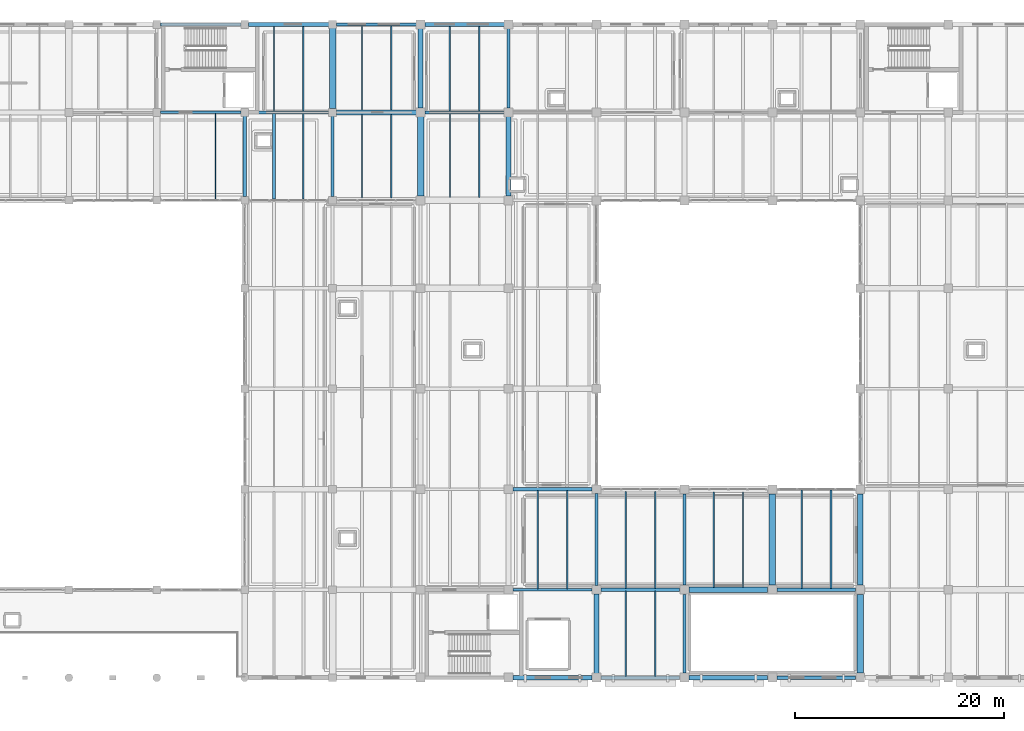
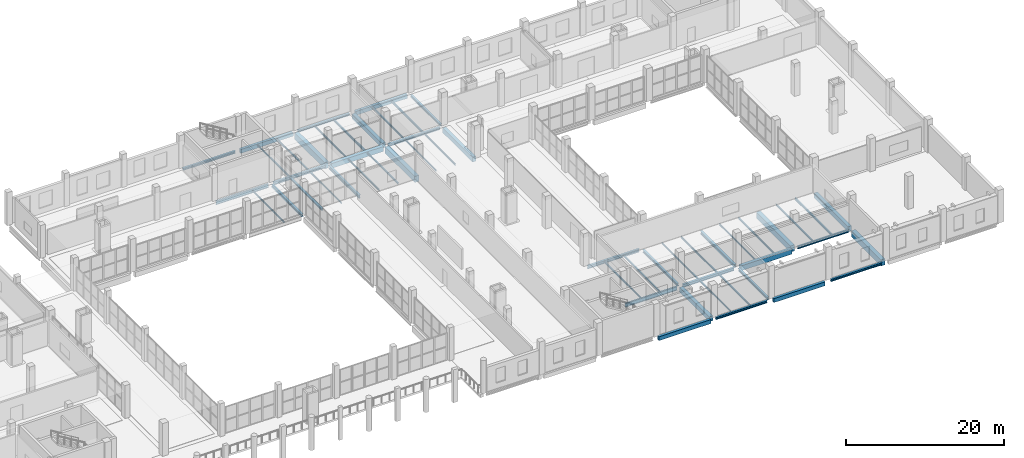
# One storey, part 27 of 66: 54 beams.
"""IFC4 building model written with IfcOpenShell, lengths in metres."""

from ifc_helpers import new_model, si_unit, direction, frame, origin, origin_2d, place, context, subcontext, project, spatial, rectangle, i_section, extrude, material, material_profile, profile_set, type_object, element, save


model = new_model("IFC4")

# Units and contexts
model_context = context("Model", 3, precision=1e-05, world=origin(), true_north=direction((0.0, 1.0)))
body_context = subcontext(model_context, "Body", "Model", "MODEL_VIEW")
ifc_project = project(units=[si_unit("LENGTHUNIT", "METRE"), si_unit("AREAUNIT", "SQUARE_METRE"), si_unit("VOLUMEUNIT", "CUBIC_METRE"), si_unit("PLANEANGLEUNIT", "RADIAN"), si_unit("MASSUNIT", "GRAM", prefix="KILO")], contexts=[model_context])

# Site, building, storey
site_placement = place(None, origin())
site = spatial("IfcSite", under=ifc_project, at=site_placement, CompositionType="ELEMENT")
building_placement = place(site_placement, origin())
building = spatial("IfcBuilding", under=site, at=building_placement, Name="Zulmaris Art Gallery", CompositionType="ELEMENT")
storey_placement = place(building_placement, frame((0.0, 0.0, 5.39990234375)))
storey = spatial("IfcBuildingStorey", under=building, at=storey_placement, Name="L01", CompositionType="ELEMENT", Elevation=5.39990234375)

# Beams
ifc_material_1 = material(Name="Steel S355J2", Category="steel")
ifc_material_profile_1 = material_profile(ifc_material_1, i_section(OverallWidth=0.219970703125, OverallDepth=0.60009765625, WebThickness=0.011962890625, FlangeThickness=0.01904296875, FilletRadius=0.02392578125, at=origin_2d()), Name="IPE 600")
ifc_profile_set_1 = profile_set([ifc_material_profile_1], Name="Steel S355J2")
beam_type_1 = type_object("IfcBeamType", Name="BEAM-BM07", PredefinedType="BEAM", material=ifc_profile_set_1)
beam_1_placement = place(storey_placement, frame((150.409912109375, 21.60009765625, -0.6298828125), z_axis=(1.0, 0.0, 0.0), x_axis=(0.0, 1.0, 0.0)))
element("IfcBeam", 1, at=beam_1_placement, inside=storey, type_object=beam_type_1, Name="L01 X-girder (150.0..158.4, y=21.6)", PredefinedType="BEAM", context=body_context, shape_type="SweptSolid", body=[
    extrude(i_section(OverallWidth=0.219970703125, OverallDepth=0.60009765625, WebThickness=0.011962890625, FlangeThickness=0.01904296875, FilletRadius=0.02392578125, at=origin_2d()), origin(), (0.0, 0.0, 1.0), 7.580078125),
])
beam_2_placement = place(storey_placement, frame((116.760009765625, 67.199951171875, -0.6298828125), z_axis=(1.0, 0.0, 0.0), x_axis=(0.0, 1.0, 0.0)))
element("IfcBeam", 2, at=beam_2_placement, inside=storey, type_object=beam_type_1, Name="L01 X-girder (116.4..124.8, y=67.2)", PredefinedType="BEAM", context=body_context, shape_type="SweptSolid", body=[
    extrude(i_section(OverallWidth=0.219970703125, OverallDepth=0.60009765625, WebThickness=0.011962890625, FlangeThickness=0.01904296875, FilletRadius=0.02392578125, at=origin_2d()), origin(), (0.0, 0.0, 1.0), 7.679931640625),
])
ifc_material_profile_2 = material_profile(ifc_material_1, i_section(OverallWidth=0.300048828125, OverallDepth=0.330078125, WebThickness=0.009521484375, FlangeThickness=0.0166015625, FilletRadius=0.027099609375, at=origin_2d()), Name="HEA 340")
ifc_profile_set_2 = profile_set([ifc_material_profile_2], Name="Steel S355J2")
beam_type_2 = type_object("IfcBeamType", Name="BEAM-BM08", PredefinedType="BEAM", material=ifc_profile_set_2)
beam_3_placement = place(storey_placement, frame((150.0, 67.610107421875, -0.494873046875), z_axis=(0.0, 1.0, 0.0), x_axis=(-1.0, 0.0, 0.0)))
element("IfcBeam", 3, at=beam_3_placement, inside=storey, type_object=beam_type_2, Name="L01 Y-girder (x=150.0, 67.2..75.6)", PredefinedType="BEAM", context=body_context, shape_type="SweptSolid", body=[
    extrude(i_section(OverallWidth=0.300048828125, OverallDepth=0.330078125, WebThickness=0.009521484375, FlangeThickness=0.0166015625, FilletRadius=0.027099609375, at=origin_2d()), origin(), (0.0, 0.0, 1.0), 7.579833984375),
])
ifc_material_profile_3 = material_profile(ifc_material_1, i_section(OverallWidth=0.300048828125, OverallDepth=0.389892578125, WebThickness=0.010986328125, FlangeThickness=0.01904296875, FilletRadius=0.027099609375, at=origin_2d()), Name="HEA 400")
ifc_profile_set_3 = profile_set([ifc_material_profile_3], Name="Steel S355J2")
beam_type_3 = type_object("IfcBeamType", Name="BEAM-BM09", PredefinedType="BEAM", material=ifc_profile_set_3)
beam_4_placement = place(storey_placement, frame((175.659912109375, 21.60009765625, -0.52490234375), z_axis=(1.0, 0.0, 0.0), x_axis=(0.0, 1.0, 0.0)))
element("IfcBeam", 4, at=beam_4_placement, inside=storey, type_object=beam_type_3, Name="L01 X-girder (175.2..183.6, y=21.6)", PredefinedType="BEAM", context=body_context, shape_type="SweptSolid", body=[
    extrude(i_section(OverallWidth=0.300048828125, OverallDepth=0.389892578125, WebThickness=0.010986328125, FlangeThickness=0.01904296875, FilletRadius=0.027099609375, at=origin_2d()), origin(), (0.0, 0.0, 1.0), 7.47998046875),
])
beam_5_placement = place(storey_placement, frame((142.010009765625, 67.199951171875, -0.52490234375), z_axis=(1.0, 0.0, 0.0), x_axis=(0.0, 1.0, 0.0)))
element("IfcBeam", 5, at=beam_5_placement, inside=storey, type_object=beam_type_3, Name="L01 X-girder (141.6..150.0, y=67.2)", PredefinedType="BEAM", context=body_context, shape_type="SweptSolid", body=[
    extrude(i_section(OverallWidth=0.300048828125, OverallDepth=0.389892578125, WebThickness=0.010986328125, FlangeThickness=0.01904296875, FilletRadius=0.027099609375, at=origin_2d()), origin(), (0.0, 0.0, 1.0), 7.580078125),
])
beam_6_placement = place(storey_placement, frame((124.800048828125, 59.159912109375, -0.52490234375), z_axis=(0.0, 1.0, 0.0), x_axis=(-1.0, 0.0, 0.0)))
element("IfcBeam", 6, at=beam_6_placement, inside=storey, type_object=beam_type_3, Name="L01 Y-girder (x=124.8, 58.8..67.2)", PredefinedType="BEAM", context=body_context, shape_type="SweptSolid", body=[
    extrude(i_section(OverallWidth=0.300048828125, OverallDepth=0.389892578125, WebThickness=0.010986328125, FlangeThickness=0.01904296875, FilletRadius=0.027099609375, at=origin_2d()), origin(), (0.0, 0.0, 1.0), 7.68017578125),
])
beam_7_placement = place(storey_placement, frame((158.39990234375, 22.010009765625, -0.52490234375), z_axis=(0.0, 1.0, 0.0), x_axis=(-1.0, 0.0, 0.0)))
element("IfcBeam", 7, at=beam_7_placement, inside=storey, type_object=beam_type_3, Name="L01 Y-girder (x=158.4, 21.6..31.2)", PredefinedType="BEAM", context=body_context, shape_type="SweptSolid", body=[
    extrude(i_section(OverallWidth=0.300048828125, OverallDepth=0.389892578125, WebThickness=0.010986328125, FlangeThickness=0.01904296875, FilletRadius=0.027099609375, at=origin_2d()), origin(), (0.0, 0.0, 1.0), 8.780029296875),
])
beam_8_placement = place(storey_placement, frame((166.800048828125, 13.659912109375, -0.52490234375), z_axis=(0.0, 1.0, 0.0), x_axis=(-1.0, 0.0, 0.0)))
element("IfcBeam", 8, at=beam_8_placement, inside=storey, type_object=beam_type_3, Name="L01 Y-girder (x=166.8, 13.2..21.6)", PredefinedType="BEAM", context=body_context, shape_type="SweptSolid", body=[
    extrude(i_section(OverallWidth=0.300048828125, OverallDepth=0.389892578125, WebThickness=0.010986328125, FlangeThickness=0.01904296875, FilletRadius=0.027099609375, at=origin_2d()), origin(), (0.0, 0.0, 1.0), 7.47998046875),
])
ifc_material_profile_4 = material_profile(ifc_material_1, i_section(OverallWidth=0.300048828125, OverallDepth=0.449951171875, WebThickness=0.013916015625, FlangeThickness=0.02587890625, FilletRadius=0.027099609375, at=origin_2d()), Name="HEB 450")
ifc_profile_set_4 = profile_set([ifc_material_profile_4], Name="Steel S355J2")
beam_type_4 = type_object("IfcBeamType", Name="BEAM-BM13", PredefinedType="BEAM", material=ifc_profile_set_4)
beam_9_placement = place(storey_placement, frame((158.81005859375, 21.60009765625, -0.554931640625), z_axis=(1.0, 0.0, 0.0), x_axis=(0.0, 1.0, 0.0)))
element("IfcBeam", 9, at=beam_9_placement, inside=storey, type_object=beam_type_4, Name="L01 X-girder (158.4..166.8, y=21.6)", PredefinedType="BEAM", context=body_context, shape_type="SweptSolid", body=[
    extrude(i_section(OverallWidth=0.300048828125, OverallDepth=0.449951171875, WebThickness=0.013916015625, FlangeThickness=0.02587890625, FilletRadius=0.027099609375, at=origin_2d()), origin(), (0.0, 0.0, 1.0), 7.530029296875),
])
beam_10_placement = place(storey_placement, frame((150.409912109375, 31.199951171875, -0.554931640625), z_axis=(1.0, 0.0, 0.0), x_axis=(0.0, 1.0, 0.0)))
element("IfcBeam", 10, at=beam_10_placement, inside=storey, type_object=beam_type_4, Name="L01 X-girder (150.0..158.4, y=31.2)", PredefinedType="BEAM", context=body_context, shape_type="SweptSolid", body=[
    extrude(i_section(OverallWidth=0.300048828125, OverallDepth=0.449951171875, WebThickness=0.013916015625, FlangeThickness=0.02587890625, FilletRadius=0.027099609375, at=origin_2d()), origin(), (0.0, 0.0, 1.0), 7.580078125),
])
beam_11_placement = place(storey_placement, frame((125.159912109375, 67.199951171875, -0.554931640625), z_axis=(1.0, 0.0, 0.0), x_axis=(0.0, 1.0, 0.0)))
element("IfcBeam", 11, at=beam_11_placement, inside=storey, type_object=beam_type_4, Name="L01 X-girder (124.8..133.2, y=67.2)", PredefinedType="BEAM", context=body_context, shape_type="SweptSolid", body=[
    extrude(i_section(OverallWidth=0.300048828125, OverallDepth=0.449951171875, WebThickness=0.013916015625, FlangeThickness=0.02587890625, FilletRadius=0.027099609375, at=origin_2d()), origin(), (0.0, 0.0, 1.0), 7.68017578125),
])
ifc_material_profile_5 = material_profile(ifc_material_1, i_section(OverallWidth=0.300048828125, OverallDepth=0.5, WebThickness=0.014404296875, FlangeThickness=0.028076171875, FilletRadius=0.027099609375, at=origin_2d()), Name="HEB 500")
ifc_profile_set_5 = profile_set([ifc_material_profile_5], Name="Steel S355J2")
beam_type_5 = type_object("IfcBeamType", Name="BEAM-BM14", PredefinedType="BEAM", material=ifc_profile_set_5)
beam_12_placement = place(storey_placement, frame((133.199951171875, 59.159912109375, -0.579833984375), z_axis=(0.0, 1.0, 0.0), x_axis=(-1.0, 0.0, 0.0)))
element("IfcBeam", 12, at=beam_12_placement, inside=storey, type_object=beam_type_5, Name="L01 Y-girder (x=133.2, 58.8..67.2)", PredefinedType="BEAM", context=body_context, shape_type="SweptSolid", body=[
    extrude(i_section(OverallWidth=0.300048828125, OverallDepth=0.5, WebThickness=0.014404296875, FlangeThickness=0.028076171875, FilletRadius=0.027099609375, at=origin_2d()), origin(), (0.0, 0.0, 1.0), 7.68017578125),
])
beam_13_placement = place(storey_placement, frame((166.800048828125, 22.06005859375, -0.579833984375), z_axis=(0.0, 1.0, 0.0), x_axis=(-1.0, 0.0, 0.0)))
element("IfcBeam", 13, at=beam_13_placement, inside=storey, type_object=beam_type_5, Name="L01 Y-girder (x=166.8, 21.6..31.2)", PredefinedType="BEAM", context=body_context, shape_type="SweptSolid", body=[
    extrude(i_section(OverallWidth=0.300048828125, OverallDepth=0.5, WebThickness=0.014404296875, FlangeThickness=0.028076171875, FilletRadius=0.027099609375, at=origin_2d()), origin(), (0.0, 0.0, 1.0), 8.679931640625),
])
ifc_material_2 = material(Name="Concrete C40/50", Category="concrete")
ifc_material_profile_6 = material_profile(ifc_material_2, rectangle(XDim=0.5, YDim=0.75, at=origin_2d()), Name="RC 500x750")
ifc_profile_set_6 = profile_set([ifc_material_profile_6], Name="Concrete C40/50")
beam_type_6 = type_object("IfcBeamType", Name="BEAM-BM20", PredefinedType="BEAM", material=ifc_profile_set_6)
beam_14_placement = place(storey_placement, frame((167.260009765625, 21.60009765625, -0.704833984375), z_axis=(1.0, 0.0, 0.0), x_axis=(0.0, 1.0, 0.0)))
element("IfcBeam", 14, at=beam_14_placement, inside=storey, type_object=beam_type_6, Name="L01 X-girder (166.8..175.2, y=21.6)", PredefinedType="BEAM", context=body_context, shape_type="SweptSolid", body=[
    extrude(rectangle(XDim=0.5, YDim=0.75, at=origin_2d()), origin(), (0.0, 0.0, 1.0), 7.47998046875),
])
beam_15_placement = place(storey_placement, frame((133.56005859375, 67.199951171875, -0.704833984375), z_axis=(1.0, 0.0, 0.0), x_axis=(0.0, 1.0, 0.0)))
element("IfcBeam", 15, at=beam_15_placement, inside=storey, type_object=beam_type_6, Name="L01 X-girder (133.2..141.6, y=67.2)", PredefinedType="BEAM", context=body_context, shape_type="SweptSolid", body=[
    extrude(rectangle(XDim=0.5, YDim=0.75, at=origin_2d()), origin(), (0.0, 0.0, 1.0), 7.6298828125),
])
beam_16_placement = place(storey_placement, frame((141.60009765625, 67.610107421875, -0.704833984375), z_axis=(0.0, 1.0, 0.0), x_axis=(-1.0, 0.0, 0.0)))
element("IfcBeam", 16, at=beam_16_placement, inside=storey, type_object=beam_type_6, Name="L01 Y-girder (x=141.6, 67.2..75.6)", PredefinedType="BEAM", context=body_context, shape_type="SweptSolid", body=[
    extrude(rectangle(XDim=0.5, YDim=0.75, at=origin_2d()), origin(), (0.0, 0.0, 1.0), 7.579833984375),
])
beam_17_placement = place(storey_placement, frame((150.0, 59.2099609375, -0.704833984375), z_axis=(0.0, 1.0, 0.0), x_axis=(-1.0, 0.0, 0.0)))
element("IfcBeam", 17, at=beam_17_placement, inside=storey, type_object=beam_type_6, Name="L01 Y-girder (x=150.0, 58.8..67.2)", PredefinedType="BEAM", context=body_context, shape_type="SweptSolid", body=[
    extrude(rectangle(XDim=0.5, YDim=0.75, at=origin_2d()), origin(), (0.0, 0.0, 1.0), 7.580078125),
])
beam_18_placement = place(storey_placement, frame((158.39990234375, 13.610107421875, -0.704833984375), z_axis=(0.0, 1.0, 0.0), x_axis=(-1.0, 0.0, 0.0)))
element("IfcBeam", 18, at=beam_18_placement, inside=storey, type_object=beam_type_6, Name="L01 Y-girder (x=158.4, 13.2..21.6)", PredefinedType="BEAM", context=body_context, shape_type="SweptSolid", body=[
    extrude(rectangle(XDim=0.5, YDim=0.75, at=origin_2d()), origin(), (0.0, 0.0, 1.0), 7.579833984375),
])
beam_19_placement = place(storey_placement, frame((183.60009765625, 22.06005859375, -0.704833984375), z_axis=(0.0, 1.0, 0.0), x_axis=(-1.0, 0.0, 0.0)))
element("IfcBeam", 19, at=beam_19_placement, inside=storey, type_object=beam_type_6, Name="L01 Y-girder (x=183.6, 21.6..31.2)", PredefinedType="BEAM", context=body_context, shape_type="SweptSolid", body=[
    extrude(rectangle(XDim=0.5, YDim=0.75, at=origin_2d()), origin(), (0.0, 0.0, 1.0), 8.679931640625),
])
ifc_material_profile_7 = material_profile(ifc_material_2, rectangle(XDim=0.60009765625, YDim=0.949951171875, at=origin_2d()), Name="RC 600x950")
ifc_profile_set_7 = profile_set([ifc_material_profile_7], Name="Concrete C40/50")
beam_type_7 = type_object("IfcBeamType", Name="BEAM-BM22", PredefinedType="BEAM", material=ifc_profile_set_7)
beam_20_placement = place(storey_placement, frame((133.199951171875, 67.56005859375, -0.804931640625), z_axis=(0.0, 1.0, 0.0), x_axis=(-1.0, 0.0, 0.0)))
element("IfcBeam", 20, at=beam_20_placement, inside=storey, type_object=beam_type_7, Name="L01 Y-girder (x=133.2, 67.2..75.6)", PredefinedType="BEAM", context=body_context, shape_type="SweptSolid", body=[
    extrude(rectangle(XDim=0.60009765625, YDim=0.949951171875, at=origin_2d()), origin(), (0.0, 0.0, 1.0), 7.679931640625),
])
beam_21_placement = place(storey_placement, frame((141.60009765625, 59.2099609375, -0.804931640625), z_axis=(0.0, 1.0, 0.0), x_axis=(-1.0, 0.0, 0.0)))
element("IfcBeam", 21, at=beam_21_placement, inside=storey, type_object=beam_type_7, Name="L01 Y-girder (x=141.6, 58.8..67.2)", PredefinedType="BEAM", context=body_context, shape_type="SweptSolid", body=[
    extrude(rectangle(XDim=0.60009765625, YDim=0.949951171875, at=origin_2d()), origin(), (0.0, 0.0, 1.0), 7.580078125),
])
beam_22_placement = place(storey_placement, frame((175.199951171875, 22.06005859375, -0.804931640625), z_axis=(0.0, 1.0, 0.0), x_axis=(-1.0, 0.0, 0.0)))
element("IfcBeam", 22, at=beam_22_placement, inside=storey, type_object=beam_type_7, Name="L01 Y-girder (x=175.2, 21.6..31.2)", PredefinedType="BEAM", context=body_context, shape_type="SweptSolid", body=[
    extrude(rectangle(XDim=0.60009765625, YDim=0.949951171875, at=origin_2d()), origin(), (0.0, 0.0, 1.0), 8.679931640625),
])
beam_23_placement = place(storey_placement, frame((183.60009765625, 13.659912109375, -0.804931640625), z_axis=(0.0, 1.0, 0.0), x_axis=(-1.0, 0.0, 0.0)))
element("IfcBeam", 23, at=beam_23_placement, inside=storey, type_object=beam_type_7, Name="L01 Y-girder (x=183.6, 13.2..21.6)", PredefinedType="BEAM", context=body_context, shape_type="SweptSolid", body=[
    extrude(rectangle(XDim=0.60009765625, YDim=0.949951171875, at=origin_2d()), origin(), (0.0, 0.0, 1.0), 7.47998046875),
])
ifc_material_profile_8 = material_profile(ifc_material_1, i_section(OverallWidth=0.1201171875, OverallDepth=0.239990234375, WebThickness=0.006103515625, FlangeThickness=0.009765625, FilletRadius=0.014892578125, at=origin_2d()), Name="IPE 240")
ifc_profile_set_8 = profile_set([ifc_material_profile_8], Name="Steel S355J2")
beam_type_8 = type_object("IfcBeamType", Name="BEAM-JS01", PredefinedType="JOIST", material=ifc_profile_set_8)
beam_24_placement = place(storey_placement, frame((122.0, 58.885009765625, -0.449951171875), z_axis=(0.0, 1.0, 0.0), x_axis=(-1.0, 0.0, 0.0)))
element("IfcBeam", 24, at=beam_24_placement, inside=storey, type_object=beam_type_8, Name="L01 secondary joist at x=122.0", PredefinedType="JOIST", context=body_context, shape_type="SweptSolid", body=[
    extrude(i_section(OverallWidth=0.1201171875, OverallDepth=0.239990234375, WebThickness=0.006103515625, FlangeThickness=0.009765625, FilletRadius=0.014892578125, at=origin_2d()), origin(), (0.0, 0.0, 1.0), 8.22998046875),
])
beam_25_placement = place(storey_placement, frame((130.39990234375, 58.925048828125, -0.449951171875), z_axis=(0.0, 1.0, 0.0), x_axis=(-1.0, 0.0, 0.0)))
element("IfcBeam", 25, at=beam_25_placement, inside=storey, type_object=beam_type_8, Name="L01 secondary joist at x=130.4", PredefinedType="JOIST", context=body_context, shape_type="SweptSolid", body=[
    extrude(i_section(OverallWidth=0.1201171875, OverallDepth=0.239990234375, WebThickness=0.006103515625, FlangeThickness=0.009765625, FilletRadius=0.014892578125, at=origin_2d()), origin(), (0.0, 0.0, 1.0), 8.14990234375),
])
beam_26_placement = place(storey_placement, frame((127.60009765625, 67.324951171875, -0.449951171875), z_axis=(0.0, 1.0, 0.0), x_axis=(-1.0, 0.0, 0.0)))
element("IfcBeam", 26, at=beam_26_placement, inside=storey, type_object=beam_type_8, Name="L01 secondary joist at x=127.6", PredefinedType="JOIST", context=body_context, shape_type="SweptSolid", body=[
    extrude(i_section(OverallWidth=0.1201171875, OverallDepth=0.239990234375, WebThickness=0.006103515625, FlangeThickness=0.009765625, FilletRadius=0.014892578125, at=origin_2d()), origin(), (0.0, 0.0, 1.0), 8.10009765625),
])
beam_27_placement = place(storey_placement, frame((136.0, 59.02490234375, -0.449951171875), z_axis=(0.0, 1.0, 0.0), x_axis=(-1.0, 0.0, 0.0)))
element("IfcBeam", 27, at=beam_27_placement, inside=storey, type_object=beam_type_8, Name="L01 secondary joist at x=136.0", PredefinedType="JOIST", context=body_context, shape_type="SweptSolid", body=[
    extrude(i_section(OverallWidth=0.1201171875, OverallDepth=0.239990234375, WebThickness=0.006103515625, FlangeThickness=0.009765625, FilletRadius=0.014892578125, at=origin_2d()), origin(), (0.0, 0.0, 1.0), 7.9501953125),
])
beam_28_placement = place(storey_placement, frame((144.39990234375, 59.074951171875, -0.449951171875), z_axis=(0.0, 1.0, 0.0), x_axis=(-1.0, 0.0, 0.0)))
element("IfcBeam", 28, at=beam_28_placement, inside=storey, type_object=beam_type_8, Name="L01 secondary joist at x=144.4", PredefinedType="JOIST", context=body_context, shape_type="SweptSolid", body=[
    extrude(i_section(OverallWidth=0.1201171875, OverallDepth=0.239990234375, WebThickness=0.006103515625, FlangeThickness=0.009765625, FilletRadius=0.014892578125, at=origin_2d()), origin(), (0.0, 0.0, 1.0), 8.0),
])
beam_29_placement = place(storey_placement, frame((152.800048828125, 21.68505859375, -0.449951171875), z_axis=(0.0, 1.0, 0.0), x_axis=(-1.0, 0.0, 0.0)))
element("IfcBeam", 29, at=beam_29_placement, inside=storey, type_object=beam_type_8, Name="L01 secondary joist at x=152.8", PredefinedType="JOIST", context=body_context, shape_type="SweptSolid", body=[
    extrude(i_section(OverallWidth=0.1201171875, OverallDepth=0.239990234375, WebThickness=0.006103515625, FlangeThickness=0.009765625, FilletRadius=0.014892578125, at=origin_2d()), origin(), (0.0, 0.0, 1.0), 9.389892578125),
])
beam_30_placement = place(storey_placement, frame((161.199951171875, 13.324951171875, -0.449951171875), z_axis=(0.0, 1.0, 0.0), x_axis=(-1.0, 0.0, 0.0)))
element("IfcBeam", 30, at=beam_30_placement, inside=storey, type_object=beam_type_8, Name="L01 secondary joist at x=161.2", PredefinedType="JOIST", context=body_context, shape_type="SweptSolid", body=[
    extrude(i_section(OverallWidth=0.1201171875, OverallDepth=0.239990234375, WebThickness=0.006103515625, FlangeThickness=0.009765625, FilletRadius=0.014892578125, at=origin_2d()), origin(), (0.0, 0.0, 1.0), 8.150146484375),
])
beam_31_placement = place(storey_placement, frame((161.199951171875, 21.72509765625, -0.449951171875), z_axis=(0.0, 1.0, 0.0), x_axis=(-1.0, 0.0, 0.0)))
element("IfcBeam", 31, at=beam_31_placement, inside=storey, type_object=beam_type_8, Name="L01 secondary joist at x=161.2", PredefinedType="JOIST", context=body_context, shape_type="SweptSolid", body=[
    extrude(i_section(OverallWidth=0.1201171875, OverallDepth=0.239990234375, WebThickness=0.006103515625, FlangeThickness=0.009765625, FilletRadius=0.014892578125, at=origin_2d()), origin(), (0.0, 0.0, 1.0), 9.25),
])
beam_32_placement = place(storey_placement, frame((169.60009765625, 21.824951171875, -0.449951171875), z_axis=(0.0, 1.0, 0.0), x_axis=(-1.0, 0.0, 0.0)))
element("IfcBeam", 32, at=beam_32_placement, inside=storey, type_object=beam_type_8, Name="L01 secondary joist at x=169.6", PredefinedType="JOIST", context=body_context, shape_type="SweptSolid", body=[
    extrude(i_section(OverallWidth=0.1201171875, OverallDepth=0.239990234375, WebThickness=0.006103515625, FlangeThickness=0.009765625, FilletRadius=0.014892578125, at=origin_2d()), origin(), (0.0, 0.0, 1.0), 9.10009765625),
])
ifc_material_profile_9 = material_profile(ifc_material_1, i_section(OverallWidth=0.135009765625, OverallDepth=0.27001953125, WebThickness=0.006591796875, FlangeThickness=0.01025390625, FilletRadius=0.014892578125, at=origin_2d()), Name="IPE 270")
ifc_profile_set_9 = profile_set([ifc_material_profile_9], Name="Steel S355J2")
beam_type_9 = type_object("IfcBeamType", Name="BEAM-JS02", PredefinedType="JOIST", material=ifc_profile_set_9)
beam_33_placement = place(storey_placement, frame((130.39990234375, 67.324951171875, -0.46484375), z_axis=(0.0, 1.0, 0.0), x_axis=(-1.0, 0.0, 0.0)))
element("IfcBeam", 33, at=beam_33_placement, inside=storey, type_object=beam_type_9, Name="L01 secondary joist at x=130.4", PredefinedType="JOIST", context=body_context, shape_type="SweptSolid", body=[
    extrude(i_section(OverallWidth=0.135009765625, OverallDepth=0.27001953125, WebThickness=0.006591796875, FlangeThickness=0.01025390625, FilletRadius=0.014892578125, at=origin_2d()), origin(), (0.0, 0.0, 1.0), 8.10009765625),
])
beam_34_placement = place(storey_placement, frame((138.800048828125, 59.02490234375, -0.46484375), z_axis=(0.0, 1.0, 0.0), x_axis=(-1.0, 0.0, 0.0)))
element("IfcBeam", 34, at=beam_34_placement, inside=storey, type_object=beam_type_9, Name="L01 secondary joist at x=138.8", PredefinedType="JOIST", context=body_context, shape_type="SweptSolid", body=[
    extrude(i_section(OverallWidth=0.135009765625, OverallDepth=0.27001953125, WebThickness=0.006591796875, FlangeThickness=0.01025390625, FilletRadius=0.014892578125, at=origin_2d()), origin(), (0.0, 0.0, 1.0), 7.9501953125),
])
beam_35_placement = place(storey_placement, frame((136.0, 67.425048828125, -0.46484375), z_axis=(0.0, 1.0, 0.0), x_axis=(-1.0, 0.0, 0.0)))
element("IfcBeam", 35, at=beam_35_placement, inside=storey, type_object=beam_type_9, Name="L01 secondary joist at x=136.0", PredefinedType="JOIST", context=body_context, shape_type="SweptSolid", body=[
    extrude(i_section(OverallWidth=0.135009765625, OverallDepth=0.27001953125, WebThickness=0.006591796875, FlangeThickness=0.01025390625, FilletRadius=0.014892578125, at=origin_2d()), origin(), (0.0, 0.0, 1.0), 8.050048828125),
])
beam_36_placement = place(storey_placement, frame((147.199951171875, 59.074951171875, -0.46484375), z_axis=(0.0, 1.0, 0.0), x_axis=(-1.0, 0.0, 0.0)))
element("IfcBeam", 36, at=beam_36_placement, inside=storey, type_object=beam_type_9, Name="L01 secondary joist at x=147.2", PredefinedType="JOIST", context=body_context, shape_type="SweptSolid", body=[
    extrude(i_section(OverallWidth=0.135009765625, OverallDepth=0.27001953125, WebThickness=0.006591796875, FlangeThickness=0.01025390625, FilletRadius=0.014892578125, at=origin_2d()), origin(), (0.0, 0.0, 1.0), 8.0),
])
beam_37_placement = place(storey_placement, frame((144.39990234375, 67.324951171875, -0.46484375), z_axis=(0.0, 1.0, 0.0), x_axis=(-1.0, 0.0, 0.0)))
element("IfcBeam", 37, at=beam_37_placement, inside=storey, type_object=beam_type_9, Name="L01 secondary joist at x=144.4", PredefinedType="JOIST", context=body_context, shape_type="SweptSolid", body=[
    extrude(i_section(OverallWidth=0.135009765625, OverallDepth=0.27001953125, WebThickness=0.006591796875, FlangeThickness=0.01025390625, FilletRadius=0.014892578125, at=origin_2d()), origin(), (0.0, 0.0, 1.0), 8.10009765625),
])
beam_38_placement = place(storey_placement, frame((155.60009765625, 21.68505859375, -0.46484375), z_axis=(0.0, 1.0, 0.0), x_axis=(-1.0, 0.0, 0.0)))
element("IfcBeam", 38, at=beam_38_placement, inside=storey, type_object=beam_type_9, Name="L01 secondary joist at x=155.6", PredefinedType="JOIST", context=body_context, shape_type="SweptSolid", body=[
    extrude(i_section(OverallWidth=0.135009765625, OverallDepth=0.27001953125, WebThickness=0.006591796875, FlangeThickness=0.01025390625, FilletRadius=0.014892578125, at=origin_2d()), origin(), (0.0, 0.0, 1.0), 9.389892578125),
])
beam_39_placement = place(storey_placement, frame((164.0, 13.324951171875, -0.46484375), z_axis=(0.0, 1.0, 0.0), x_axis=(-1.0, 0.0, 0.0)))
element("IfcBeam", 39, at=beam_39_placement, inside=storey, type_object=beam_type_9, Name="L01 secondary joist at x=164.0", PredefinedType="JOIST", context=body_context, shape_type="SweptSolid", body=[
    extrude(i_section(OverallWidth=0.135009765625, OverallDepth=0.27001953125, WebThickness=0.006591796875, FlangeThickness=0.01025390625, FilletRadius=0.014892578125, at=origin_2d()), origin(), (0.0, 0.0, 1.0), 8.150146484375),
])
beam_40_placement = place(storey_placement, frame((164.0, 21.72509765625, -0.46484375), z_axis=(0.0, 1.0, 0.0), x_axis=(-1.0, 0.0, 0.0)))
element("IfcBeam", 40, at=beam_40_placement, inside=storey, type_object=beam_type_9, Name="L01 secondary joist at x=164.0", PredefinedType="JOIST", context=body_context, shape_type="SweptSolid", body=[
    extrude(i_section(OverallWidth=0.135009765625, OverallDepth=0.27001953125, WebThickness=0.006591796875, FlangeThickness=0.01025390625, FilletRadius=0.014892578125, at=origin_2d()), origin(), (0.0, 0.0, 1.0), 9.25),
])
beam_41_placement = place(storey_placement, frame((172.39990234375, 21.824951171875, -0.46484375), z_axis=(0.0, 1.0, 0.0), x_axis=(-1.0, 0.0, 0.0)))
element("IfcBeam", 41, at=beam_41_placement, inside=storey, type_object=beam_type_9, Name="L01 secondary joist at x=172.4", PredefinedType="JOIST", context=body_context, shape_type="SweptSolid", body=[
    extrude(i_section(OverallWidth=0.135009765625, OverallDepth=0.27001953125, WebThickness=0.006591796875, FlangeThickness=0.01025390625, FilletRadius=0.014892578125, at=origin_2d()), origin(), (0.0, 0.0, 1.0), 9.10009765625),
])
beam_42_placement = place(storey_placement, frame((178.0, 21.72509765625, -0.46484375), z_axis=(0.0, 1.0, 0.0), x_axis=(-1.0, 0.0, 0.0)))
element("IfcBeam", 42, at=beam_42_placement, inside=storey, type_object=beam_type_9, Name="L01 secondary joist at x=178.0", PredefinedType="JOIST", context=body_context, shape_type="SweptSolid", body=[
    extrude(i_section(OverallWidth=0.135009765625, OverallDepth=0.27001953125, WebThickness=0.006591796875, FlangeThickness=0.01025390625, FilletRadius=0.014892578125, at=origin_2d()), origin(), (0.0, 0.0, 1.0), 9.389892578125),
])
ifc_material_profile_10 = material_profile(ifc_material_1, i_section(OverallWidth=0.159912109375, OverallDepth=0.330078125, WebThickness=0.007568359375, FlangeThickness=0.011474609375, FilletRadius=0.01806640625, at=origin_2d()), Name="IPE 330")
ifc_profile_set_10 = profile_set([ifc_material_profile_10], Name="Steel S355J2")
beam_type_10 = type_object("IfcBeamType", Name="BEAM-JS03", PredefinedType="JOIST", material=ifc_profile_set_10)
beam_43_placement = place(storey_placement, frame((138.800048828125, 67.425048828125, -0.494873046875), z_axis=(0.0, 1.0, 0.0), x_axis=(-1.0, 0.0, 0.0)))
element("IfcBeam", 43, at=beam_43_placement, inside=storey, type_object=beam_type_10, Name="L01 secondary joist at x=138.8", PredefinedType="JOIST", context=body_context, shape_type="SweptSolid", body=[
    extrude(i_section(OverallWidth=0.159912109375, OverallDepth=0.330078125, WebThickness=0.007568359375, FlangeThickness=0.011474609375, FilletRadius=0.01806640625, at=origin_2d()), origin(), (0.0, 0.0, 1.0), 8.050048828125),
])
beam_44_placement = place(storey_placement, frame((147.199951171875, 67.324951171875, -0.494873046875), z_axis=(0.0, 1.0, 0.0), x_axis=(-1.0, 0.0, 0.0)))
element("IfcBeam", 44, at=beam_44_placement, inside=storey, type_object=beam_type_10, Name="L01 secondary joist at x=147.2", PredefinedType="JOIST", context=body_context, shape_type="SweptSolid", body=[
    extrude(i_section(OverallWidth=0.159912109375, OverallDepth=0.330078125, WebThickness=0.007568359375, FlangeThickness=0.011474609375, FilletRadius=0.01806640625, at=origin_2d()), origin(), (0.0, 0.0, 1.0), 8.10009765625),
])
beam_45_placement = place(storey_placement, frame((180.800048828125, 21.72509765625, -0.494873046875), z_axis=(0.0, 1.0, 0.0), x_axis=(-1.0, 0.0, 0.0)))
element("IfcBeam", 45, at=beam_45_placement, inside=storey, type_object=beam_type_10, Name="L01 secondary joist at x=180.8", PredefinedType="JOIST", context=body_context, shape_type="SweptSolid", body=[
    extrude(i_section(OverallWidth=0.159912109375, OverallDepth=0.330078125, WebThickness=0.007568359375, FlangeThickness=0.011474609375, FilletRadius=0.01806640625, at=origin_2d()), origin(), (0.0, 0.0, 1.0), 9.389892578125),
])
ifc_material_profile_11 = material_profile(ifc_material_1, i_section(OverallWidth=0.280029296875, OverallDepth=0.27001953125, WebThickness=0.008056640625, FlangeThickness=0.012939453125, FilletRadius=0.02392578125, at=origin_2d()), Name="HEA 280")
ifc_profile_set_11 = profile_set([ifc_material_profile_11], Name="Steel S355J2")
beam_type_11 = type_object("IfcBeamType", Name="BEAM-JS04", PredefinedType="JOIST", material=ifc_profile_set_11)
beam_46_placement = place(storey_placement, frame((127.60009765625, 58.925048828125, -0.46484375), z_axis=(0.0, 1.0, 0.0), x_axis=(-1.0, 0.0, 0.0)))
element("IfcBeam", 46, at=beam_46_placement, inside=storey, type_object=beam_type_11, Name="L01 secondary joist at x=127.6", PredefinedType="JOIST", context=body_context, shape_type="SweptSolid", body=[
    extrude(i_section(OverallWidth=0.280029296875, OverallDepth=0.27001953125, WebThickness=0.008056640625, FlangeThickness=0.012939453125, FilletRadius=0.02392578125, at=origin_2d()), origin(), (0.0, 0.0, 1.0), 8.14990234375),
])
ifc_material_profile_12 = material_profile(ifc_material_1, i_section(OverallWidth=0.300048828125, OverallDepth=0.35009765625, WebThickness=0.010009765625, FlangeThickness=0.017578125, FilletRadius=0.027099609375, at=origin_2d()), Name="HEA 360")
ifc_profile_set_12 = profile_set([ifc_material_profile_12], Name="Steel S355J2")
beam_type_12 = type_object("IfcBeamType", Name="BEAM-SP01", PredefinedType="SPANDREL", material=ifc_profile_set_12)
beam_47_placement = place(storey_placement, frame((158.81005859375, 13.199951171875, -0.5048828125), z_axis=(1.0, 0.0, 0.0), x_axis=(0.0, 1.0, 0.0)))
element("IfcBeam", 47, at=beam_47_placement, inside=storey, type_object=beam_type_12, Name="L01 X-girder (158.4..166.8, y=13.2)", PredefinedType="SPANDREL", context=body_context, shape_type="SweptSolid", body=[
    extrude(i_section(OverallWidth=0.300048828125, OverallDepth=0.35009765625, WebThickness=0.010009765625, FlangeThickness=0.017578125, FilletRadius=0.027099609375, at=origin_2d()), origin(), (0.0, 0.0, 1.0), 7.530029296875),
])
beam_48_placement = place(storey_placement, frame((175.659912109375, 13.199951171875, -0.5048828125), z_axis=(1.0, 0.0, 0.0), x_axis=(0.0, 1.0, 0.0)))
element("IfcBeam", 48, at=beam_48_placement, inside=storey, type_object=beam_type_12, Name="L01 X-girder (175.2..183.6, y=13.2)", PredefinedType="SPANDREL", context=body_context, shape_type="SweptSolid", body=[
    extrude(i_section(OverallWidth=0.300048828125, OverallDepth=0.35009765625, WebThickness=0.010009765625, FlangeThickness=0.017578125, FilletRadius=0.027099609375, at=origin_2d()), origin(), (0.0, 0.0, 1.0), 7.47998046875),
])
beam_49_placement = place(storey_placement, frame((116.760009765625, 75.60009765625, -0.5048828125), z_axis=(1.0, 0.0, 0.0), x_axis=(0.0, 1.0, 0.0)))
element("IfcBeam", 49, at=beam_49_placement, inside=storey, type_object=beam_type_12, Name="L01 X-girder (116.4..124.8, y=75.6)", PredefinedType="SPANDREL", context=body_context, shape_type="SweptSolid", body=[
    extrude(i_section(OverallWidth=0.300048828125, OverallDepth=0.35009765625, WebThickness=0.010009765625, FlangeThickness=0.017578125, FilletRadius=0.027099609375, at=origin_2d()), origin(), (0.0, 0.0, 1.0), 7.679931640625),
])
beam_50_placement = place(storey_placement, frame((133.56005859375, 75.60009765625, -0.5048828125), z_axis=(1.0, 0.0, 0.0), x_axis=(0.0, 1.0, 0.0)))
element("IfcBeam", 50, at=beam_50_placement, inside=storey, type_object=beam_type_12, Name="L01 X-girder (133.2..141.6, y=75.6)", PredefinedType="SPANDREL", context=body_context, shape_type="SweptSolid", body=[
    extrude(i_section(OverallWidth=0.300048828125, OverallDepth=0.35009765625, WebThickness=0.010009765625, FlangeThickness=0.017578125, FilletRadius=0.027099609375, at=origin_2d()), origin(), (0.0, 0.0, 1.0), 7.6298828125),
])
ifc_material_profile_13 = material_profile(ifc_material_2, rectangle(XDim=0.39990234375, YDim=0.60009765625, at=origin_2d()), Name="RC 400x600")
ifc_profile_set_13 = profile_set([ifc_material_profile_13], Name="Concrete C40/50")
beam_type_13 = type_object("IfcBeamType", Name="BEAM-SP03", PredefinedType="SPANDREL", material=ifc_profile_set_13)
beam_51_placement = place(storey_placement, frame((150.409912109375, 13.199951171875, -0.6298828125), z_axis=(1.0, 0.0, 0.0), x_axis=(0.0, 1.0, 0.0)))
element("IfcBeam", 51, at=beam_51_placement, inside=storey, type_object=beam_type_13, Name="L01 X-girder (150.0..158.4, y=13.2)", PredefinedType="SPANDREL", context=body_context, shape_type="SweptSolid", body=[
    extrude(rectangle(XDim=0.39990234375, YDim=0.60009765625, at=origin_2d()), origin(), (0.0, 0.0, 1.0), 7.580078125),
])
beam_52_placement = place(storey_placement, frame((167.260009765625, 13.199951171875, -0.6298828125), z_axis=(1.0, 0.0, 0.0), x_axis=(0.0, 1.0, 0.0)))
element("IfcBeam", 52, at=beam_52_placement, inside=storey, type_object=beam_type_13, Name="L01 X-girder (166.8..175.2, y=13.2)", PredefinedType="SPANDREL", context=body_context, shape_type="SweptSolid", body=[
    extrude(rectangle(XDim=0.39990234375, YDim=0.60009765625, at=origin_2d()), origin(), (0.0, 0.0, 1.0), 7.47998046875),
])
beam_53_placement = place(storey_placement, frame((125.159912109375, 75.60009765625, -0.6298828125), z_axis=(1.0, 0.0, 0.0), x_axis=(0.0, 1.0, 0.0)))
element("IfcBeam", 53, at=beam_53_placement, inside=storey, type_object=beam_type_13, Name="L01 X-girder (124.8..133.2, y=75.6)", PredefinedType="SPANDREL", context=body_context, shape_type="SweptSolid", body=[
    extrude(rectangle(XDim=0.39990234375, YDim=0.60009765625, at=origin_2d()), origin(), (0.0, 0.0, 1.0), 7.68017578125),
])
beam_54_placement = place(storey_placement, frame((142.010009765625, 75.60009765625, -0.6298828125), z_axis=(1.0, 0.0, 0.0), x_axis=(0.0, 1.0, 0.0)))
element("IfcBeam", 54, at=beam_54_placement, inside=storey, type_object=beam_type_13, Name="L01 X-girder (141.6..150.0, y=75.6)", PredefinedType="SPANDREL", context=body_context, shape_type="SweptSolid", body=[
    extrude(rectangle(XDim=0.39990234375, YDim=0.60009765625, at=origin_2d()), origin(), (0.0, 0.0, 1.0), 7.580078125),
])

save(model, "model.ifc")
